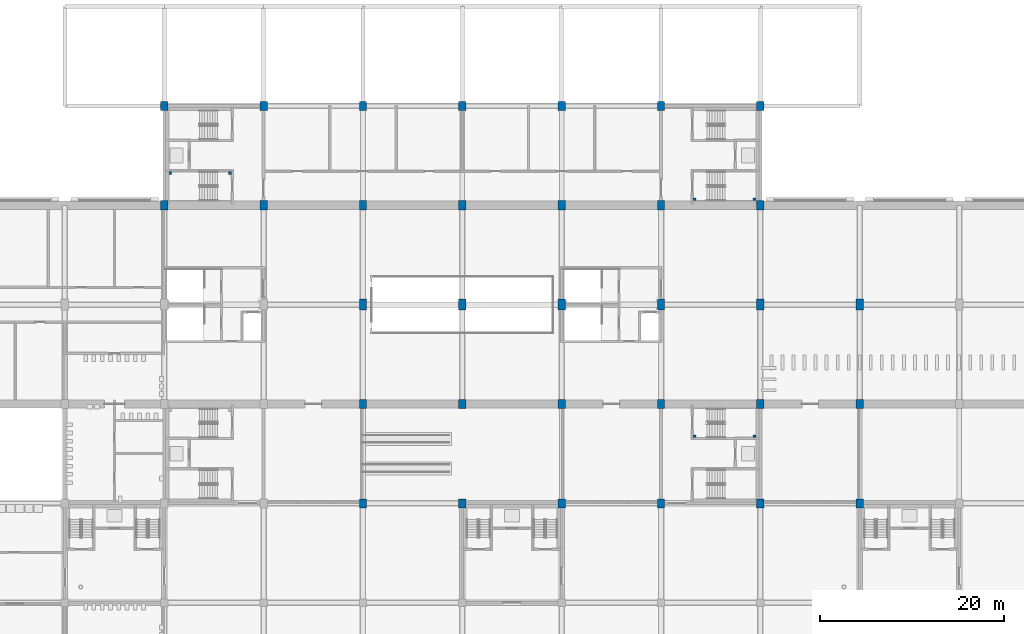
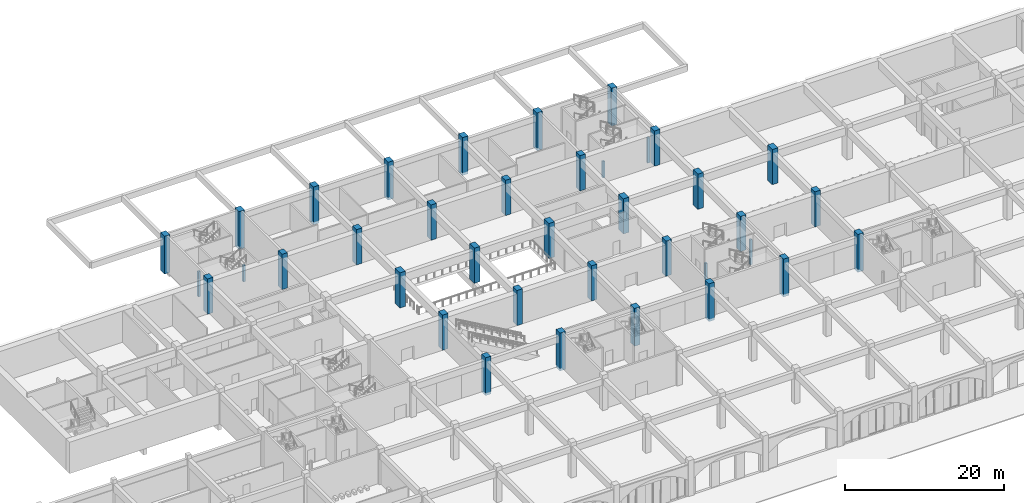
# One storey, part 5 of 101: 38 columns.
"""IFC4 building model written with IfcOpenShell, lengths in metres."""

from ifc_helpers import new_model, si_unit, direction, frame, origin, origin_2d, place, context, subcontext, project, spatial, rectangle, extrude, material, material_profile, profile_set, type_object, element, save


model = new_model("IFC4")

# Units and contexts
model_context = context("Model", 3, precision=1e-05, world=origin(), true_north=direction((0.0, 1.0)))
body_context = subcontext(model_context, "Body", "Model", "MODEL_VIEW")
ifc_project = project(units=[si_unit("LENGTHUNIT", "METRE"), si_unit("AREAUNIT", "SQUARE_METRE"), si_unit("VOLUMEUNIT", "CUBIC_METRE"), si_unit("PLANEANGLEUNIT", "RADIAN"), si_unit("MASSUNIT", "GRAM", prefix="KILO")], contexts=[model_context])

# Site, building, storey
site_placement = place(None, origin())
site = spatial("IfcSite", under=ifc_project, at=site_placement, CompositionType="ELEMENT")
building_placement = place(site_placement, origin())
building = spatial("IfcBuilding", under=site, at=building_placement, Name="Magnolia Steps Interchange", CompositionType="ELEMENT")
storey_placement = place(building_placement, frame((0.0, 0.0, -5.39990234375)))
storey = spatial("IfcBuildingStorey", under=building, at=storey_placement, Name="B1", CompositionType="ELEMENT", Elevation=-5.39990234375)

# Columns
ifc_material_1 = material(Name="Concrete C40", Category="concrete")
ifc_material_profile_1 = material_profile(ifc_material_1, rectangle(XDim=0.800048828125, YDim=1.0, at=origin_2d()), Name="RC800x1000")
ifc_profile_set_1 = profile_set([ifc_material_profile_1], Name="Concrete C40")
column_type_1 = type_object("IfcColumnType", Name="RC column 800x1000", PredefinedType="COLUMN", material=ifc_profile_set_1)
column_1_placement = place(storey_placement, frame((74.800048828125, 42.39990234375, -0.400146484375), z_axis=(0.0, 0.0, 1.0), x_axis=(1.0, 0.0, 0.0)))
element("IfcColumn", 1, at=column_1_placement, inside=storey, type_object=column_type_1, Name="Column CON-7D B1", PredefinedType="COLUMN", context=body_context, shape_type="SweptSolid", body=[
    extrude(rectangle(XDim=0.800048828125, YDim=1.0, at=origin_2d()), origin(), (0.0, 0.0, 1.0), 5.800048828125),
])
column_2_placement = place(storey_placement, frame((74.800048828125, 53.199951171875, 0.0), z_axis=(0.0, 0.0, 1.0), x_axis=(1.0, 0.0, 0.0)))
element("IfcColumn", 2, at=column_2_placement, inside=storey, type_object=column_type_1, Name="Column CON-7E B1", PredefinedType="COLUMN", context=body_context, shape_type="SweptSolid", body=[
    extrude(rectangle(XDim=0.800048828125, YDim=1.0, at=origin_2d()), origin(), (0.0, 0.0, 1.0), 5.39990234375),
])
column_3_placement = place(storey_placement, frame((85.60009765625, 42.39990234375, -0.400146484375), z_axis=(0.0, 0.0, 1.0), x_axis=(1.0, 0.0, 0.0)))
element("IfcColumn", 3, at=column_3_placement, inside=storey, type_object=column_type_1, Name="Column CON-8D B1", PredefinedType="COLUMN", context=body_context, shape_type="SweptSolid", body=[
    extrude(rectangle(XDim=0.800048828125, YDim=1.0, at=origin_2d()), origin(), (0.0, 0.0, 1.0), 5.800048828125),
])
column_4_placement = place(storey_placement, frame((85.60009765625, 53.199951171875, 0.0), z_axis=(0.0, 0.0, 1.0), x_axis=(1.0, 0.0, 0.0)))
element("IfcColumn", 4, at=column_4_placement, inside=storey, type_object=column_type_1, Name="Column CON-8E B1", PredefinedType="COLUMN", context=body_context, shape_type="SweptSolid", body=[
    extrude(rectangle(XDim=0.800048828125, YDim=1.0, at=origin_2d()), origin(), (0.0, 0.0, 1.0), 5.39990234375),
])
column_5_placement = place(storey_placement, frame((96.39990234375, 42.39990234375, -0.400146484375), z_axis=(0.0, 0.0, 1.0), x_axis=(1.0, 0.0, 0.0)))
element("IfcColumn", 5, at=column_5_placement, inside=storey, type_object=column_type_1, Name="Column CON-9D B1", PredefinedType="COLUMN", context=body_context, shape_type="SweptSolid", body=[
    extrude(rectangle(XDim=0.800048828125, YDim=1.0, at=origin_2d()), origin(), (0.0, 0.0, 1.0), 5.800048828125),
])
column_6_placement = place(storey_placement, frame((96.39990234375, 53.199951171875, 0.0), z_axis=(0.0, 0.0, 1.0), x_axis=(1.0, 0.0, 0.0)))
element("IfcColumn", 6, at=column_6_placement, inside=storey, type_object=column_type_1, Name="Column CON-9E B1", PredefinedType="COLUMN", context=body_context, shape_type="SweptSolid", body=[
    extrude(rectangle(XDim=0.800048828125, YDim=1.0, at=origin_2d()), origin(), (0.0, 0.0, 1.0), 5.39990234375),
])
column_7_placement = place(storey_placement, frame((107.199951171875, 42.39990234375, -0.400146484375), z_axis=(0.0, 0.0, 1.0), x_axis=(1.0, 0.0, 0.0)))
element("IfcColumn", 7, at=column_7_placement, inside=storey, type_object=column_type_1, Name="Column CON-10D B1", PredefinedType="COLUMN", context=body_context, shape_type="SweptSolid", body=[
    extrude(rectangle(XDim=0.800048828125, YDim=1.0, at=origin_2d()), origin(), (0.0, 0.0, 1.0), 5.800048828125),
])
column_8_placement = place(storey_placement, frame((107.199951171875, 53.199951171875, 0.0), z_axis=(0.0, 0.0, 1.0), x_axis=(1.0, 0.0, 0.0)))
element("IfcColumn", 8, at=column_8_placement, inside=storey, type_object=column_type_1, Name="Column CON-10E B1", PredefinedType="COLUMN", context=body_context, shape_type="SweptSolid", body=[
    extrude(rectangle(XDim=0.800048828125, YDim=1.0, at=origin_2d()), origin(), (0.0, 0.0, 1.0), 5.39990234375),
])
column_9_placement = place(storey_placement, frame((118.0, 42.39990234375, -0.400146484375), z_axis=(0.0, 0.0, 1.0), x_axis=(1.0, 0.0, 0.0)))
element("IfcColumn", 9, at=column_9_placement, inside=storey, type_object=column_type_1, Name="Column CON-11D B1", PredefinedType="COLUMN", context=body_context, shape_type="SweptSolid", body=[
    extrude(rectangle(XDim=0.800048828125, YDim=1.0, at=origin_2d()), origin(), (0.0, 0.0, 1.0), 5.800048828125),
])
column_10_placement = place(storey_placement, frame((118.0, 53.199951171875, 0.0), z_axis=(0.0, 0.0, 1.0), x_axis=(1.0, 0.0, 0.0)))
element("IfcColumn", 10, at=column_10_placement, inside=storey, type_object=column_type_1, Name="Column CON-11E B1", PredefinedType="COLUMN", context=body_context, shape_type="SweptSolid", body=[
    extrude(rectangle(XDim=0.800048828125, YDim=1.0, at=origin_2d()), origin(), (0.0, 0.0, 1.0), 5.39990234375),
])
column_11_placement = place(storey_placement, frame((128.800048828125, 42.39990234375, -0.400146484375), z_axis=(0.0, 0.0, 1.0), x_axis=(1.0, 0.0, 0.0)))
element("IfcColumn", 11, at=column_11_placement, inside=storey, type_object=column_type_1, Name="Column CON-12D B1", PredefinedType="COLUMN", context=body_context, shape_type="SweptSolid", body=[
    extrude(rectangle(XDim=0.800048828125, YDim=1.0, at=origin_2d()), origin(), (0.0, 0.0, 1.0), 5.800048828125),
])
for number, where, z_axis, x_axis, name in (
    (12, (128.800048828125, 53.199951171875, 0.0), (0.0, 0.0, 1.0), (1.0, 0.0, 0.0), "Column CON-12E B1"),
    (13, (53.199951171875, 74.800048828125, 0.0), (0.0, 0.0, 1.0), (1.0, 0.0, 0.0), "Column CON-5G B1"),
):
    element("IfcColumn", number, at=place(storey_placement, frame(where, z_axis=z_axis, x_axis=x_axis)), inside=storey, type_object=column_type_1, Name=name, PredefinedType="COLUMN", context=body_context, shape_type="SweptSolid", body=[
        extrude(rectangle(XDim=0.800048828125, YDim=1.0, at=origin_2d()), origin(), (0.0, 0.0, 1.0), 5.39990234375),
    ])
column_12_placement = place(storey_placement, frame((53.199951171875, 85.60009765625, -0.400146484375), z_axis=(0.0, 0.0, 1.0), x_axis=(1.0, 0.0, 0.0)))
element("IfcColumn", 14, at=column_12_placement, inside=storey, type_object=column_type_1, Name="Column CON-5H B1", PredefinedType="COLUMN", context=body_context, shape_type="SweptSolid", body=[
    extrude(rectangle(XDim=0.800048828125, YDim=1.0, at=origin_2d()), origin(), (0.0, 0.0, 1.0), 5.800048828125),
])
column_13_placement = place(storey_placement, frame((64.0, 74.800048828125, 0.0), z_axis=(0.0, 0.0, 1.0), x_axis=(1.0, 0.0, 0.0)))
element("IfcColumn", 15, at=column_13_placement, inside=storey, type_object=column_type_1, Name="Column CON-6G B1", PredefinedType="COLUMN", context=body_context, shape_type="SweptSolid", body=[
    extrude(rectangle(XDim=0.800048828125, YDim=1.0, at=origin_2d()), origin(), (0.0, 0.0, 1.0), 5.39990234375),
])
column_14_placement = place(storey_placement, frame((64.0, 85.60009765625, -0.400146484375), z_axis=(0.0, 0.0, 1.0), x_axis=(1.0, 0.0, 0.0)))
element("IfcColumn", 16, at=column_14_placement, inside=storey, type_object=column_type_1, Name="Column CON-6H B1", PredefinedType="COLUMN", context=body_context, shape_type="SweptSolid", body=[
    extrude(rectangle(XDim=0.800048828125, YDim=1.0, at=origin_2d()), origin(), (0.0, 0.0, 1.0), 5.800048828125),
])
column_15_placement = place(storey_placement, frame((74.800048828125, 74.800048828125, 0.0), z_axis=(0.0, 0.0, 1.0), x_axis=(1.0, 0.0, 0.0)))
element("IfcColumn", 17, at=column_15_placement, inside=storey, type_object=column_type_1, Name="Column CON-7G B1", PredefinedType="COLUMN", context=body_context, shape_type="SweptSolid", body=[
    extrude(rectangle(XDim=0.800048828125, YDim=1.0, at=origin_2d()), origin(), (0.0, 0.0, 1.0), 5.39990234375),
])
column_16_placement = place(storey_placement, frame((74.800048828125, 85.60009765625, -0.400146484375), z_axis=(0.0, 0.0, 1.0), x_axis=(1.0, 0.0, 0.0)))
element("IfcColumn", 18, at=column_16_placement, inside=storey, type_object=column_type_1, Name="Column CON-7H B1", PredefinedType="COLUMN", context=body_context, shape_type="SweptSolid", body=[
    extrude(rectangle(XDim=0.800048828125, YDim=1.0, at=origin_2d()), origin(), (0.0, 0.0, 1.0), 5.800048828125),
])
column_17_placement = place(storey_placement, frame((85.60009765625, 74.800048828125, 0.0), z_axis=(0.0, 0.0, 1.0), x_axis=(1.0, 0.0, 0.0)))
element("IfcColumn", 19, at=column_17_placement, inside=storey, type_object=column_type_1, Name="Column CON-8G B1", PredefinedType="COLUMN", context=body_context, shape_type="SweptSolid", body=[
    extrude(rectangle(XDim=0.800048828125, YDim=1.0, at=origin_2d()), origin(), (0.0, 0.0, 1.0), 5.39990234375),
])
column_18_placement = place(storey_placement, frame((85.60009765625, 85.60009765625, -0.400146484375), z_axis=(0.0, 0.0, 1.0), x_axis=(1.0, 0.0, 0.0)))
element("IfcColumn", 20, at=column_18_placement, inside=storey, type_object=column_type_1, Name="Column CON-8H B1", PredefinedType="COLUMN", context=body_context, shape_type="SweptSolid", body=[
    extrude(rectangle(XDim=0.800048828125, YDim=1.0, at=origin_2d()), origin(), (0.0, 0.0, 1.0), 5.800048828125),
])
column_19_placement = place(storey_placement, frame((96.39990234375, 74.800048828125, 0.0), z_axis=(0.0, 0.0, 1.0), x_axis=(1.0, 0.0, 0.0)))
element("IfcColumn", 21, at=column_19_placement, inside=storey, type_object=column_type_1, Name="Column CON-9G B1", PredefinedType="COLUMN", context=body_context, shape_type="SweptSolid", body=[
    extrude(rectangle(XDim=0.800048828125, YDim=1.0, at=origin_2d()), origin(), (0.0, 0.0, 1.0), 5.39990234375),
])
column_20_placement = place(storey_placement, frame((96.39990234375, 85.60009765625, -0.400146484375), z_axis=(0.0, 0.0, 1.0), x_axis=(1.0, 0.0, 0.0)))
element("IfcColumn", 22, at=column_20_placement, inside=storey, type_object=column_type_1, Name="Column CON-9H B1", PredefinedType="COLUMN", context=body_context, shape_type="SweptSolid", body=[
    extrude(rectangle(XDim=0.800048828125, YDim=1.0, at=origin_2d()), origin(), (0.0, 0.0, 1.0), 5.800048828125),
])
column_21_placement = place(storey_placement, frame((107.199951171875, 74.800048828125, 0.0), z_axis=(0.0, 0.0, 1.0), x_axis=(1.0, 0.0, 0.0)))
element("IfcColumn", 23, at=column_21_placement, inside=storey, type_object=column_type_1, Name="Column CON-10G B1", PredefinedType="COLUMN", context=body_context, shape_type="SweptSolid", body=[
    extrude(rectangle(XDim=0.800048828125, YDim=1.0, at=origin_2d()), origin(), (0.0, 0.0, 1.0), 5.39990234375),
])
column_22_placement = place(storey_placement, frame((107.199951171875, 85.60009765625, -0.400146484375), z_axis=(0.0, 0.0, 1.0), x_axis=(1.0, 0.0, 0.0)))
element("IfcColumn", 24, at=column_22_placement, inside=storey, type_object=column_type_1, Name="Column CON-10H B1", PredefinedType="COLUMN", context=body_context, shape_type="SweptSolid", body=[
    extrude(rectangle(XDim=0.800048828125, YDim=1.0, at=origin_2d()), origin(), (0.0, 0.0, 1.0), 5.800048828125),
])
column_23_placement = place(storey_placement, frame((118.0, 74.800048828125, 0.0), z_axis=(0.0, 0.0, 1.0), x_axis=(1.0, 0.0, 0.0)))
element("IfcColumn", 25, at=column_23_placement, inside=storey, type_object=column_type_1, Name="Column CON-11G B1", PredefinedType="COLUMN", context=body_context, shape_type="SweptSolid", body=[
    extrude(rectangle(XDim=0.800048828125, YDim=1.0, at=origin_2d()), origin(), (0.0, 0.0, 1.0), 5.39990234375),
])
column_24_placement = place(storey_placement, frame((118.0, 85.60009765625, -0.400146484375), z_axis=(0.0, 0.0, 1.0), x_axis=(1.0, 0.0, 0.0)))
element("IfcColumn", 26, at=column_24_placement, inside=storey, type_object=column_type_1, Name="Column CON-11H B1", PredefinedType="COLUMN", context=body_context, shape_type="SweptSolid", body=[
    extrude(rectangle(XDim=0.800048828125, YDim=1.0, at=origin_2d()), origin(), (0.0, 0.0, 1.0), 5.800048828125),
])
ifc_material_2 = material(Name="Concrete C40", Category="concrete")
ifc_material_profile_2 = material_profile(ifc_material_2, rectangle(XDim=0.800048828125, YDim=1.199951171875, at=origin_2d()), Name="RC800x1200")
ifc_profile_set_2 = profile_set([ifc_material_profile_2], Name="Concrete C40")
column_type_2 = type_object("IfcColumnType", Name="RC column 800x1200", PredefinedType="COLUMN", material=ifc_profile_set_2)
for number, where, z_axis, x_axis, name in (
    (27, (74.800048828125, 64.0, 0.0), (0.0, 0.0, 1.0), (1.0, 0.0, 0.0), "Column MET-7F B1"),
    (28, (85.60009765625, 64.0, 0.0), (0.0, 0.0, 1.0), (1.0, 0.0, 0.0), "Column MET-8F B1"),
    (29, (96.39990234375, 64.0, 0.0), (0.0, 0.0, 1.0), (1.0, 0.0, 0.0), "Column MET-9F B1"),
    (30, (107.199951171875, 64.0, 0.0), (0.0, 0.0, 1.0), (1.0, 0.0, 0.0), "Column MET-10F B1"),
    (31, (118.0, 64.0, 0.0), (0.0, 0.0, 1.0), (1.0, 0.0, 0.0), "Column MET-11F B1"),
    (32, (128.800048828125, 64.0, 0.0), (0.0, 0.0, 1.0), (1.0, 0.0, 0.0), "Column MET-12F B1"),
):
    element("IfcColumn", number, at=place(storey_placement, frame(where, z_axis=z_axis, x_axis=x_axis)), inside=storey, type_object=column_type_2, Name=name, PredefinedType="COLUMN", context=body_context, shape_type="SweptSolid", body=[
        extrude(rectangle(XDim=0.800048828125, YDim=1.199951171875, at=origin_2d()), origin(), (0.0, 0.0, 1.0), 5.39990234375),
    ])
ifc_material_3 = material(Name="Concrete C40", Category="concrete")
ifc_material_profile_3 = material_profile(ifc_material_3, rectangle(XDim=0.300048828125, YDim=0.300048828125, at=origin_2d()), Name="RC300x300")
ifc_profile_set_3 = profile_set([ifc_material_profile_3], Name="Concrete C40")
column_type_3 = type_object("IfcColumnType", Name="Stair landing post 300", PredefinedType="COLUMN", material=ifc_profile_set_3)
column_25_placement = place(storey_placement, frame((53.85009765625, 78.300048828125, 0.0), z_axis=(0.0, 0.0, 1.0), x_axis=(1.0, 0.0, 0.0)))
element("IfcColumn", 33, at=column_25_placement, inside=storey, type_object=column_type_3, Name="HC1 stair landing post", PredefinedType="COLUMN", context=body_context, shape_type="SweptSolid", body=[
    extrude(rectangle(XDim=0.300048828125, YDim=0.300048828125, at=origin_2d()), origin(), (0.0, 0.0, 1.0), 3.849853515625),
])
column_26_placement = place(storey_placement, frame((60.35009765625, 78.300048828125, 0.0), z_axis=(0.0, 0.0, 1.0), x_axis=(1.0, 0.0, 0.0)))
element("IfcColumn", 34, at=column_26_placement, inside=storey, type_object=column_type_3, Name="HC1 stair landing post", PredefinedType="COLUMN", context=body_context, shape_type="SweptSolid", body=[
    extrude(rectangle(XDim=0.300048828125, YDim=0.300048828125, at=origin_2d()), origin(), (0.0, 0.0, 1.0), 2.5),
])
column_27_placement = place(storey_placement, frame((117.35009765625, 75.449951171875, 0.0), z_axis=(0.0, 0.0, 1.0), x_axis=(1.0, 0.0, 0.0)))
element("IfcColumn", 35, at=column_27_placement, inside=storey, type_object=column_type_3, Name="HC2 stair landing post", PredefinedType="COLUMN", context=body_context, shape_type="SweptSolid", body=[
    extrude(rectangle(XDim=0.300048828125, YDim=0.300048828125, at=origin_2d()), origin(), (0.0, 0.0, 1.0), 3.849853515625),
])
column_28_placement = place(storey_placement, frame((110.85009765625, 75.449951171875, 0.0), z_axis=(0.0, 0.0, 1.0), x_axis=(1.0, 0.0, 0.0)))
element("IfcColumn", 36, at=column_28_placement, inside=storey, type_object=column_type_3, Name="HC2 stair landing post", PredefinedType="COLUMN", context=body_context, shape_type="SweptSolid", body=[
    extrude(rectangle(XDim=0.300048828125, YDim=0.300048828125, at=origin_2d()), origin(), (0.0, 0.0, 1.0), 2.5),
])
column_29_placement = place(storey_placement, frame((117.35009765625, 49.699951171875, 0.0), z_axis=(0.0, 0.0, 1.0), x_axis=(1.0, 0.0, 0.0)))
element("IfcColumn", 37, at=column_29_placement, inside=storey, type_object=column_type_3, Name="HC4 stair landing post", PredefinedType="COLUMN", context=body_context, shape_type="SweptSolid", body=[
    extrude(rectangle(XDim=0.300048828125, YDim=0.300048828125, at=origin_2d()), origin(), (0.0, 0.0, 1.0), 3.849853515625),
])
column_30_placement = place(storey_placement, frame((110.85009765625, 49.699951171875, 0.0), z_axis=(0.0, 0.0, 1.0), x_axis=(1.0, 0.0, 0.0)))
element("IfcColumn", 38, at=column_30_placement, inside=storey, type_object=column_type_3, Name="HC4 stair landing post", PredefinedType="COLUMN", context=body_context, shape_type="SweptSolid", body=[
    extrude(rectangle(XDim=0.300048828125, YDim=0.300048828125, at=origin_2d()), origin(), (0.0, 0.0, 1.0), 2.5),
])

save(model, "model.ifc")
